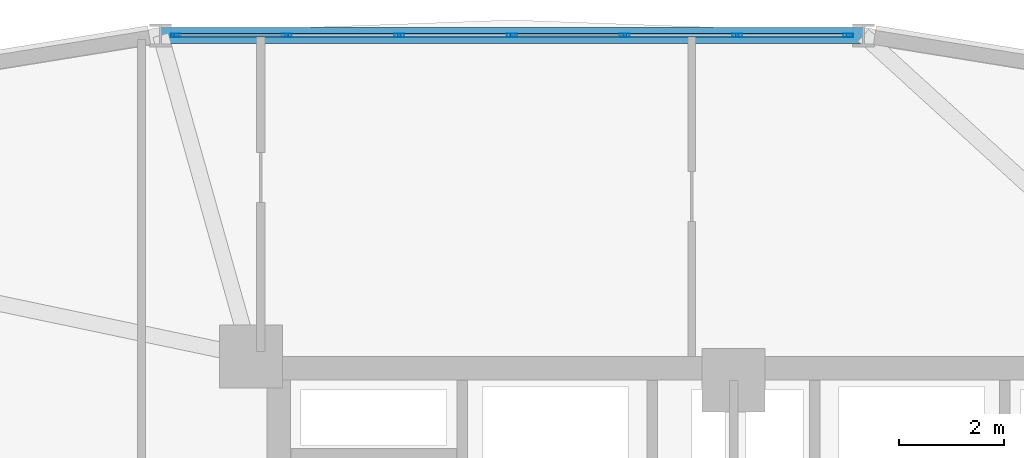
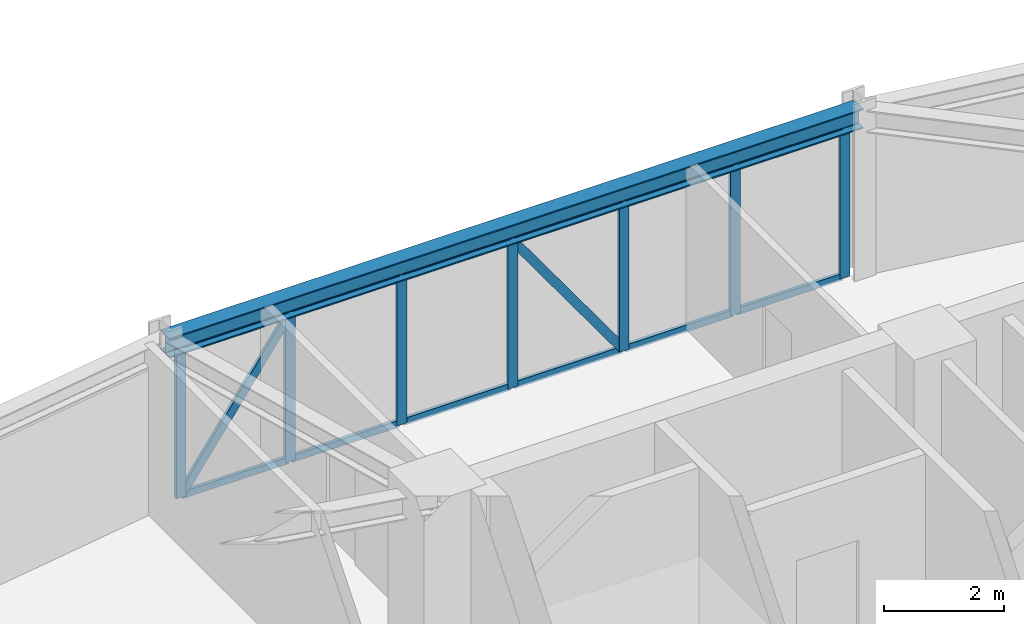
# One storey, part 10 of 18: 21 members, 1 beam, 1 element without a shape of its own.
"""IFC4 building model written with IfcOpenShell, lengths in metres."""

from ifc_helpers import new_model, si_unit, derived_unit, direction, frame, origin, origin_2d, place, context, subcontext, project, spatial, hollow_rectangle, i_section, extrude, source, transform, mapped, material, layer, layer_set, material_profile, profile_set, type_object, element, aggregate, save


model = new_model("IFC4")

# Units and contexts
model_context = context("Model", 3, precision=1e-05, world=origin(), true_north=direction((0.0, 1.0)))
body_context = subcontext(model_context, "Body", "Model", "MODEL_VIEW")
ifc_project = project(units=[si_unit("LENGTHUNIT", "METRE"), si_unit("AREAUNIT", "SQUARE_METRE"), si_unit("VOLUMEUNIT", "CUBIC_METRE"), si_unit("PLANEANGLEUNIT", "RADIAN"), si_unit("MASSUNIT", "GRAM", prefix="KILO"), derived_unit("THERMALTRANSMITTANCEUNIT", [(si_unit("POWERUNIT", "WATT"), 1), (si_unit("LENGTHUNIT", "METRE"), -2), (si_unit("THERMODYNAMICTEMPERATUREUNIT", "KELVIN"), -1)])], contexts=[model_context])

# Site, building, storey
site_placement = place(None, origin())
site = spatial("IfcSite", under=ifc_project, at=site_placement, CompositionType="ELEMENT")
building_placement = place(site_placement, origin())
building = spatial("IfcBuilding", under=site, at=building_placement, Name="Korsvarv Bourse and Concert Hall", CompositionType="ELEMENT")
storey_placement = place(building_placement, frame((0.0, 0.0, 136.199951171875)))
storey = spatial("IfcBuildingStorey", under=building, at=storey_placement, Name="L34", CompositionType="ELEMENT", Elevation=136.199951171875)

# Beam
ifc_material_1 = material(Name="Steel S355", Category="steel")
ifc_material_profile_1 = material_profile(ifc_material_1, i_section(OverallWidth=0.300048828125, OverallDepth=0.39990234375, WebThickness=0.013427734375, FlangeThickness=0.02392578125, FilletRadius=0.02099609375, at=origin_2d()), Name="HEB 400")
ifc_profile_set_1 = profile_set([ifc_material_profile_1], Name="Steel S355")
beam_type = type_object("IfcBeamType", Name="BM-HEB400", PredefinedType="SPANDREL", material=ifc_profile_set_1)
shared_shape_1 = source(origin(), body_context, "Body", "SweptSolid", [
    extrude(i_section(OverallWidth=0.300048828125, OverallDepth=0.39990234375, WebThickness=0.013427734375, FlangeThickness=0.02392578125, FilletRadius=0.02099609375, at=origin_2d()), origin(), (0.0, 0.0, 1.0), 13.327392578125),
])
beam_placement = place(storey_placement, frame((38.463623046875, 53.3369140625, 3.199951171875), z_axis=(-1.0, 0.0, 0.0), x_axis=(0.0, -1.0, 0.0)))
element("IfcBeam", 1, at=beam_placement, inside=storey, type_object=beam_type, Name="L34 beam B-09", PredefinedType="SPANDREL", context=body_context, shape_type="MappedRepresentation", body=[
    mapped(shared_shape_1, transform((0.0, 0.0, 0.0), scale=1.0)),
])

# Curtain wall, members
ifc_material_2 = material(Name="Anodised aluminium and triple low-E glazing", Category="glass")
ifc_layer = layer(ifc_material_2, 0.2099609375)
ifc_layer_set = layer_set([ifc_layer], Name="Anodised aluminium and triple low-E glazing")
curtain_wall_type = type_object("IfcCurtainWallType", Name="CW-SYS-2", PredefinedType="NOTDEFINED", material=ifc_layer_set)
curtain_wall_placement = place(storey_placement, origin())
curtain_wall = element("IfcCurtainWall", 2, at=curtain_wall_placement, inside=storey, type_object=curtain_wall_type, Name="L34 CW2 curtain wall CW-L34-F03", PredefinedType="NOTDEFINED")
ifc_material_3 = material(Name="Extruded aluminium EN AW-6063 T66", Category="aluminium")
ifc_material_profile_2 = material_profile(ifc_material_3, hollow_rectangle(XDim=0.070068359375, YDim=0.18994140625, WallThickness=0.0048828125, at=origin_2d()), Name="ALU-M 70x190")
ifc_profile_set_2 = profile_set([ifc_material_profile_2], Name="Extruded aluminium EN AW-6063 T66")
member_type_1 = type_object("IfcMemberType", Name="CWM-190", PredefinedType="MULLION", material=ifc_profile_set_2)
shared_shape_2 = source(origin(), body_context, "Body", "SweptSolid", [
    extrude(hollow_rectangle(XDim=0.070068359375, YDim=0.18994140625, WallThickness=0.0048828125, at=origin_2d()), origin(), (0.0, 0.0, 1.0), 3.0),
])
member_1_placement = place(storey_placement, frame((38.172607421875, 53.3369140625, 0.0), z_axis=(0.0, 0.0, 1.0), x_axis=(0.0, -1.0, 0.0)))
member_1 = element("IfcMember", 3, at=member_1_placement, type_object=member_type_1, Name="CW2 mullion 1", PredefinedType="MULLION", context=body_context, shape_type="MappedRepresentation", body=[
    mapped(shared_shape_2, transform((0.0, 0.0, 0.0), scale=1.0)),
])
member_2_placement = place(storey_placement, frame((36.07177734375, 53.3369140625, 0.0), z_axis=(0.0, 0.0, 1.0), x_axis=(0.0, -1.0, 0.0)))
member_2 = element("IfcMember", 4, at=member_2_placement, type_object=member_type_1, Name="CW2 mullion 2", PredefinedType="MULLION", context=body_context, shape_type="MappedRepresentation", body=[
    mapped(shared_shape_2, transform((0.0, 0.0, 0.0), scale=1.0)),
])
member_3_placement = place(storey_placement, frame((33.935791015625, 53.3369140625, 0.0), z_axis=(0.0, 0.0, 1.0), x_axis=(0.0, -1.0, 0.0)))
member_3 = element("IfcMember", 5, at=member_3_placement, type_object=member_type_1, Name="CW2 mullion 3", PredefinedType="MULLION", context=body_context, shape_type="MappedRepresentation", body=[
    mapped(shared_shape_2, transform((0.0, 0.0, 0.0), scale=1.0)),
])
member_4_placement = place(storey_placement, frame((31.800048828125, 53.3369140625, 0.0), z_axis=(0.0, 0.0, 1.0), x_axis=(0.0, -1.0, 0.0)))
member_4 = element("IfcMember", 6, at=member_4_placement, type_object=member_type_1, Name="CW2 mullion 4", PredefinedType="MULLION", context=body_context, shape_type="MappedRepresentation", body=[
    mapped(shared_shape_2, transform((0.0, 0.0, 0.0), scale=1.0)),
])
member_5_placement = place(storey_placement, frame((29.6640625, 53.3369140625, 0.0), z_axis=(0.0, 0.0, 1.0), x_axis=(0.0, -1.0, 0.0)))
member_5 = element("IfcMember", 7, at=member_5_placement, type_object=member_type_1, Name="CW2 mullion 5", PredefinedType="MULLION", context=body_context, shape_type="MappedRepresentation", body=[
    mapped(shared_shape_2, transform((0.0, 0.0, 0.0), scale=1.0)),
])
member_6_placement = place(storey_placement, frame((27.5283203125, 53.3369140625, 0.0), z_axis=(0.0, 0.0, 1.0), x_axis=(0.0, -1.0, 0.0)))
member_6 = element("IfcMember", 8, at=member_6_placement, type_object=member_type_1, Name="CW2 mullion 6", PredefinedType="MULLION", context=body_context, shape_type="MappedRepresentation", body=[
    mapped(shared_shape_2, transform((0.0, 0.0, 0.0), scale=1.0)),
])
member_7_placement = place(storey_placement, frame((25.42724609375, 53.3369140625, 0.0), z_axis=(0.0, 0.0, 1.0), x_axis=(0.0, -1.0, 0.0)))
member_7 = element("IfcMember", 9, at=member_7_placement, type_object=member_type_1, Name="CW2 mullion 7", PredefinedType="MULLION", context=body_context, shape_type="MappedRepresentation", body=[
    mapped(shared_shape_2, transform((0.0, 0.0, 0.0), scale=1.0)),
])
ifc_material_profile_3 = material_profile(ifc_material_3, hollow_rectangle(XDim=0.06494140625, YDim=0.139892578125, WallThickness=0.00390625, at=origin_2d()), Name="ALU-T 65x140")
ifc_profile_set_3 = profile_set([ifc_material_profile_3], Name="Extruded aluminium EN AW-6063 T66")
member_type_2 = type_object("IfcMemberType", Name="CWT-140", PredefinedType="USERDEFINED", material=ifc_profile_set_3)
shared_shape_3 = source(origin(), body_context, "Body", "SweptSolid", [
    extrude(hollow_rectangle(XDim=0.06494140625, YDim=0.139892578125, WallThickness=0.00390625, at=origin_2d()), origin(), (0.0, 0.0, 1.0), 2.031005859375),
])
member_8_placement = place(storey_placement, frame((38.1376953125, 53.3369140625, 0.032470703125), z_axis=(-1.0, 0.0, 0.0), x_axis=(0.0, -1.0, 0.0)))
member_8 = element("IfcMember", 10, at=member_8_placement, type_object=member_type_2, Name="CW2 transom 1.1", ObjectType="TRANSOM", PredefinedType="USERDEFINED", context=body_context, shape_type="MappedRepresentation", body=[
    mapped(shared_shape_3, transform((0.0, 0.0, 0.0), scale=1.0)),
])
member_9_placement = place(storey_placement, frame((38.1376953125, 53.3369140625, 2.967529296875), z_axis=(-1.0, 0.0, 0.0), x_axis=(0.0, -1.0, 0.0)))
member_9 = element("IfcMember", 11, at=member_9_placement, type_object=member_type_2, Name="CW2 transom 1.2", ObjectType="TRANSOM", PredefinedType="USERDEFINED", context=body_context, shape_type="MappedRepresentation", body=[
    mapped(shared_shape_3, transform((0.0, 0.0, 0.0), scale=1.0)),
])
shared_shape_4 = source(origin(), body_context, "Body", "SweptSolid", [
    extrude(hollow_rectangle(XDim=0.06494140625, YDim=0.139892578125, WallThickness=0.00390625, at=origin_2d()), origin(), (0.0, 0.0, 1.0), 2.06591796875),
])
member_10_placement = place(storey_placement, frame((36.036865234375, 53.3369140625, 0.032470703125), z_axis=(-1.0, 0.0, 0.0), x_axis=(0.0, -1.0, 0.0)))
member_10 = element("IfcMember", 12, at=member_10_placement, type_object=member_type_2, Name="CW2 transom 2.1", ObjectType="TRANSOM", PredefinedType="USERDEFINED", context=body_context, shape_type="MappedRepresentation", body=[
    mapped(shared_shape_4, transform((0.0, 0.0, 0.0), scale=1.0)),
])
member_11_placement = place(storey_placement, frame((36.036865234375, 53.3369140625, 2.967529296875), z_axis=(-1.0, 0.0, 0.0), x_axis=(0.0, -1.0, 0.0)))
member_11 = element("IfcMember", 13, at=member_11_placement, type_object=member_type_2, Name="CW2 transom 2.2", ObjectType="TRANSOM", PredefinedType="USERDEFINED", context=body_context, shape_type="MappedRepresentation", body=[
    mapped(shared_shape_4, transform((0.0, 0.0, 0.0), scale=1.0)),
])
member_12_placement = place(storey_placement, frame((33.90087890625, 53.3369140625, 0.032470703125), z_axis=(-1.0, 0.0, 0.0), x_axis=(0.0, -1.0, 0.0)))
member_12 = element("IfcMember", 14, at=member_12_placement, type_object=member_type_2, Name="CW2 transom 3.1", ObjectType="TRANSOM", PredefinedType="USERDEFINED", context=body_context, shape_type="MappedRepresentation", body=[
    mapped(shared_shape_4, transform((0.0, 0.0, 0.0), scale=1.0)),
])
member_13_placement = place(storey_placement, frame((33.90087890625, 53.3369140625, 2.967529296875), z_axis=(-1.0, 0.0, 0.0), x_axis=(0.0, -1.0, 0.0)))
member_13 = element("IfcMember", 15, at=member_13_placement, type_object=member_type_2, Name="CW2 transom 3.2", ObjectType="TRANSOM", PredefinedType="USERDEFINED", context=body_context, shape_type="MappedRepresentation", body=[
    mapped(shared_shape_4, transform((0.0, 0.0, 0.0), scale=1.0)),
])
member_14_placement = place(storey_placement, frame((29.629150390625, 53.3369140625, 0.032470703125), z_axis=(-1.0, 0.0, 0.0), x_axis=(0.0, -1.0, 0.0)))
member_14 = element("IfcMember", 16, at=member_14_placement, type_object=member_type_2, Name="CW2 transom 5.1", ObjectType="TRANSOM", PredefinedType="USERDEFINED", context=body_context, shape_type="MappedRepresentation", body=[
    mapped(shared_shape_4, transform((0.0, 0.0, 0.0), scale=1.0)),
])
member_15_placement = place(storey_placement, frame((29.629150390625, 53.3369140625, 2.967529296875), z_axis=(-1.0, 0.0, 0.0), x_axis=(0.0, -1.0, 0.0)))
member_15 = element("IfcMember", 17, at=member_15_placement, type_object=member_type_2, Name="CW2 transom 5.2", ObjectType="TRANSOM", PredefinedType="USERDEFINED", context=body_context, shape_type="MappedRepresentation", body=[
    mapped(shared_shape_4, transform((0.0, 0.0, 0.0), scale=1.0)),
])
ifc_material_profile_4 = material_profile(ifc_material_3, hollow_rectangle(XDim=0.06494140625, YDim=0.1650390625, WallThickness=0.0048828125, at=origin_2d()), Name="ALU-M 65x165")
ifc_profile_set_4 = profile_set([ifc_material_profile_4], Name="Extruded aluminium EN AW-6063 T66")
member_type_3 = type_object("IfcMemberType", Name="CWM-165", PredefinedType="MULLION", material=ifc_profile_set_4)
shared_shape_5 = source(origin(), body_context, "Body", "SweptSolid", [
    extrude(hollow_rectangle(XDim=0.06494140625, YDim=0.1650390625, WallThickness=0.0048828125, at=origin_2d()), origin(), (0.0, 0.0, 1.0), 3.536376953125),
])
member_16_placement = place(storey_placement, frame((33.90087890625, 53.3369140625, 0.06494140625), z_axis=(-0.584199236141, 0.0, 0.811610283629), x_axis=(0.0, -1.0, 0.0)))
member_16 = element("IfcMember", 18, at=member_16_placement, type_object=member_type_3, Name="CW2 diagonal mullion 3", PredefinedType="MULLION", context=body_context, shape_type="MappedRepresentation", body=[
    mapped(shared_shape_5, transform((0.0, 0.0, 0.0), scale=1.0)),
])
shared_shape_6 = source(origin(), body_context, "Body", "SweptSolid", [
    extrude(hollow_rectangle(XDim=0.06494140625, YDim=0.139892578125, WallThickness=0.00390625, at=origin_2d()), origin(), (0.0, 0.0, 1.0), 2.065673828125),
])
member_17_placement = place(storey_placement, frame((31.764892578125, 53.3369140625, 0.032470703125), z_axis=(-1.0, 0.0, 0.0), x_axis=(0.0, -1.0, 0.0)))
member_17 = element("IfcMember", 19, at=member_17_placement, type_object=member_type_2, Name="CW2 transom 4.1", ObjectType="TRANSOM", PredefinedType="USERDEFINED", context=body_context, shape_type="MappedRepresentation", body=[
    mapped(shared_shape_6, transform((0.0, 0.0, 0.0), scale=1.0)),
])
member_18_placement = place(storey_placement, frame((31.764892578125, 53.3369140625, 2.967529296875), z_axis=(-1.0, 0.0, 0.0), x_axis=(0.0, -1.0, 0.0)))
member_18 = element("IfcMember", 20, at=member_18_placement, type_object=member_type_2, Name="CW2 transom 4.2", ObjectType="TRANSOM", PredefinedType="USERDEFINED", context=body_context, shape_type="MappedRepresentation", body=[
    mapped(shared_shape_6, transform((0.0, 0.0, 0.0), scale=1.0)),
])
shared_shape_7 = source(origin(), body_context, "Body", "SweptSolid", [
    extrude(hollow_rectangle(XDim=0.06494140625, YDim=0.139892578125, WallThickness=0.00390625, at=origin_2d()), origin(), (0.0, 0.0, 1.0), 2.03076171875),
])
member_19_placement = place(storey_placement, frame((27.4931640625, 53.3369140625, 0.032470703125), z_axis=(-1.0, 0.0, 0.0), x_axis=(0.0, -1.0, 0.0)))
member_19 = element("IfcMember", 21, at=member_19_placement, type_object=member_type_2, Name="CW2 transom 6.1", ObjectType="TRANSOM", PredefinedType="USERDEFINED", context=body_context, shape_type="MappedRepresentation", body=[
    mapped(shared_shape_7, transform((0.0, 0.0, 0.0), scale=1.0)),
])
member_20_placement = place(storey_placement, frame((27.4931640625, 53.3369140625, 2.967529296875), z_axis=(-1.0, 0.0, 0.0), x_axis=(0.0, -1.0, 0.0)))
member_20 = element("IfcMember", 22, at=member_20_placement, type_object=member_type_2, Name="CW2 transom 6.2", ObjectType="TRANSOM", PredefinedType="USERDEFINED", context=body_context, shape_type="MappedRepresentation", body=[
    mapped(shared_shape_7, transform((0.0, 0.0, 0.0), scale=1.0)),
])
shared_shape_8 = source(origin(), body_context, "Body", "SweptSolid", [
    extrude(hollow_rectangle(XDim=0.06494140625, YDim=0.1650390625, WallThickness=0.0048828125, at=origin_2d()), origin(), (0.0, 0.0, 1.0), 3.515869140625),
])
member_21_placement = place(storey_placement, frame((25.46240234375, 53.3369140625, 0.06494140625), z_axis=(0.577593404085, 0.0, 0.816324604283), x_axis=(0.0, 1.0, 0.0)))
member_21 = element("IfcMember", 23, at=member_21_placement, type_object=member_type_3, Name="CW2 diagonal mullion 6", PredefinedType="MULLION", context=body_context, shape_type="MappedRepresentation", body=[
    mapped(shared_shape_8, transform((0.0, 0.0, 0.0), scale=1.0)),
])
aggregate(curtain_wall, [member_1, member_2, member_3, member_4, member_5, member_6, member_7, member_8, member_9, member_10, member_11, member_12, member_13, member_16, member_17, member_18, member_14, member_15, member_19, member_20, member_21])

save(model, "model.ifc")
